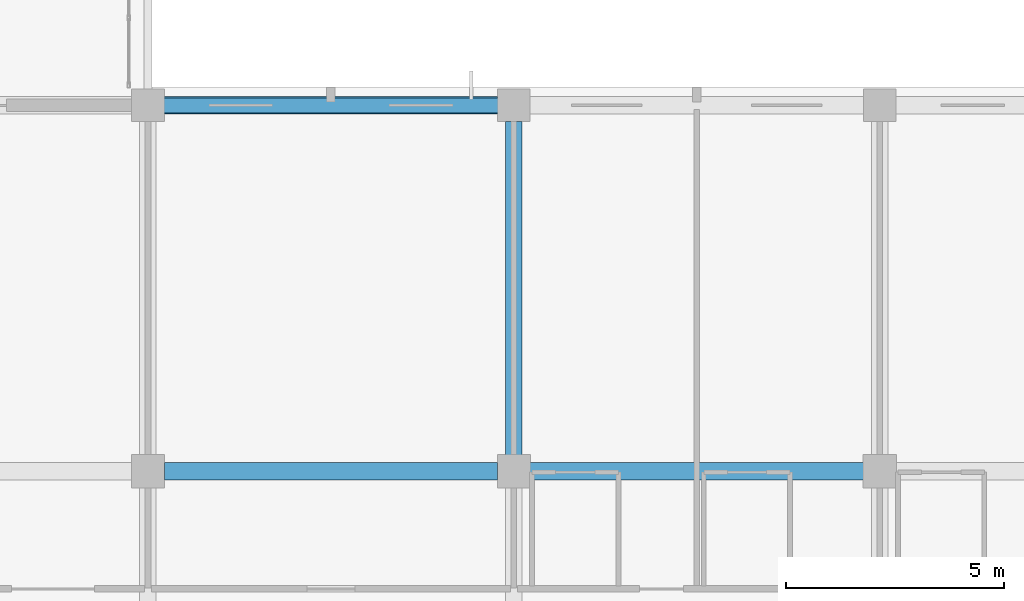
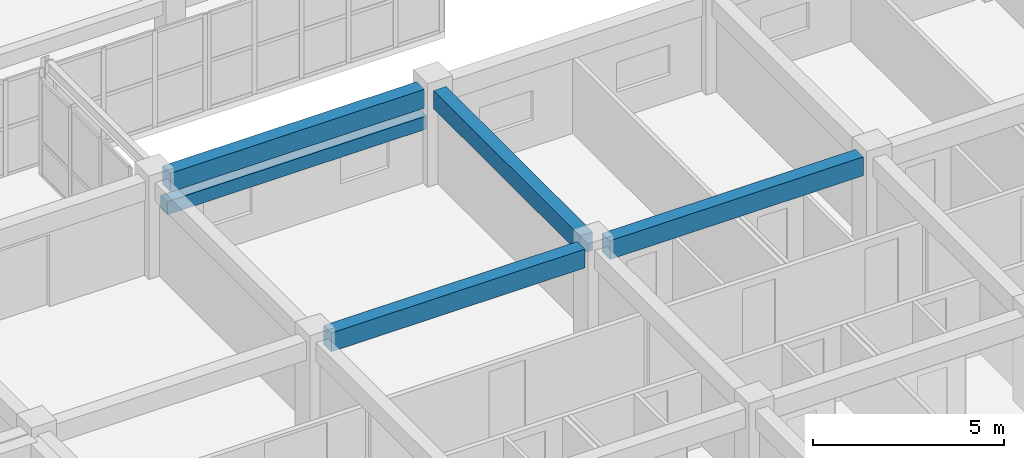
# One storey, part 56 of 200: 5 beams.
"""IFC4 building model written with IfcOpenShell, lengths in metres."""

from ifc_helpers import new_model, si_unit, direction, frame, origin, origin_2d, place, context, subcontext, project, spatial, rectangle, extrude, material, material_profile, profile_set, type_object, element, save


model = new_model("IFC4")

# Units and contexts
model_context = context("Model", 3, precision=1e-05, world=origin(), true_north=direction((0.0, 1.0)))
body_context = subcontext(model_context, "Body", "Model", "MODEL_VIEW")
ifc_project = project(units=[si_unit("LENGTHUNIT", "METRE"), si_unit("AREAUNIT", "SQUARE_METRE"), si_unit("VOLUMEUNIT", "CUBIC_METRE"), si_unit("PLANEANGLEUNIT", "RADIAN"), si_unit("MASSUNIT", "GRAM", prefix="KILO")], contexts=[model_context])

# Site, building, storey
site_placement = place(None, origin())
site = spatial("IfcSite", under=ifc_project, at=site_placement, CompositionType="ELEMENT")
building_placement = place(site_placement, origin())
building = spatial("IfcBuilding", under=site, at=building_placement, Name="Trelvath General Hospital", CompositionType="ELEMENT")
storey_placement = place(building_placement, frame((0.0, 0.0, 4.800048828125)))
storey = spatial("IfcBuildingStorey", under=building, at=storey_placement, Name="L01", CompositionType="ELEMENT", Elevation=4.800048828125)

# Beams
ifc_material_1 = material(Name="Concrete C35/45", Category="concrete")
ifc_material_profile_1 = material_profile(ifc_material_1, rectangle(XDim=0.3798828125, YDim=0.580078125, at=origin_2d()), Name="RCB380x580")
ifc_profile_set_1 = profile_set([ifc_material_profile_1], Name="Concrete C35/45")
beam_type_1 = type_object("IfcBeamType", Name="Beam RC380x580", PredefinedType="BEAM", material=ifc_profile_set_1)
beam_1_placement = place(storey_placement, frame((117.60009765625, 17.175048828125, 2.72998046875), z_axis=(0.0, 1.0, 0.0), x_axis=(-1.0, 0.0, 0.0)))
element("IfcBeam", 1, at=beam_1_placement, inside=storey, type_object=beam_type_1, Name="Grid Beam BY-114C", PredefinedType="BEAM", context=body_context, shape_type="SweptSolid", body=[
    extrude(rectangle(XDim=0.3798828125, YDim=0.580078125, at=origin_2d()), origin(), (0.0, 0.0, 1.0), 7.655029296875),
])
ifc_material_2 = material(Name="Concrete C35/45", Category="concrete")
ifc_material_profile_2 = material_profile(ifc_material_2, rectangle(XDim=0.39990234375, YDim=0.60009765625, at=origin_2d()), Name="RCB400x600")
ifc_profile_set_2 = profile_set([ifc_material_profile_2], Name="Concrete C35/45")
beam_type_2 = type_object("IfcBeamType", Name="Beam RC400x600", PredefinedType="BEAM", material=ifc_profile_set_2)
beam_2_placement = place(storey_placement, frame((109.574951171875, 16.800048828125, 2.719970703125), z_axis=(1.0, 0.0, 0.0), x_axis=(0.0, 1.0, 0.0)))
element("IfcBeam", 2, at=beam_2_placement, inside=storey, type_object=beam_type_2, Name="Grid Beam BX-113C", PredefinedType="BEAM", context=body_context, shape_type="SweptSolid", body=[
    extrude(rectangle(XDim=0.39990234375, YDim=0.60009765625, at=origin_2d()), origin(), (0.0, 0.0, 1.0), 7.650146484375),
])
beam_3_placement = place(storey_placement, frame((109.570068359375, 25.199951171875, 2.719970703125), z_axis=(1.0, 0.0, 0.0), x_axis=(0.0, 1.0, 0.0)))
element("IfcBeam", 3, at=beam_3_placement, inside=storey, type_object=beam_type_2, Name="Grid Beam BX-113D", PredefinedType="BEAM", context=body_context, shape_type="SweptSolid", body=[
    extrude(rectangle(XDim=0.39990234375, YDim=0.60009765625, at=origin_2d()), origin(), (0.0, 0.0, 1.0), 7.659912109375),
])
beam_4_placement = place(storey_placement, frame((117.97509765625, 16.800048828125, 2.719970703125), z_axis=(1.0, 0.0, 0.0), x_axis=(0.0, 1.0, 0.0)))
element("IfcBeam", 4, at=beam_4_placement, inside=storey, type_object=beam_type_2, Name="Grid Beam BX-114C", PredefinedType="BEAM", context=body_context, shape_type="SweptSolid", body=[
    extrude(rectangle(XDim=0.39990234375, YDim=0.60009765625, at=origin_2d()), origin(), (0.0, 0.0, 1.0), 7.64990234375),
])
ifc_material_3 = material(Name="Precast concrete C40/50", Category="concrete")
ifc_material_profile_3 = material_profile(ifc_material_3, rectangle(XDim=0.35009765625, YDim=0.419921875, at=origin_2d()), Name="PCL350x420")
ifc_profile_set_3 = profile_set([ifc_material_profile_3], Name="Precast concrete C40/50")
beam_type_3 = type_object("IfcBeamType", Name="Lintel PC350x420", PredefinedType="LINTEL", material=ifc_profile_set_3)
beam_5_placement = place(storey_placement, frame((109.489990234375, 25.199951171875, 1.919921875), z_axis=(1.0, 0.0, 0.0), x_axis=(0.0, 1.0, 0.0)))
element("IfcBeam", 5, at=beam_5_placement, inside=storey, type_object=beam_type_3, Name="Precast Window Brow Lintel L01-177", PredefinedType="LINTEL", context=body_context, shape_type="SweptSolid", body=[
    extrude(rectangle(XDim=0.35009765625, YDim=0.419921875, at=origin_2d()), origin(), (0.0, 0.0, 1.0), 7.820068359375),
])

save(model, "model.ifc")
